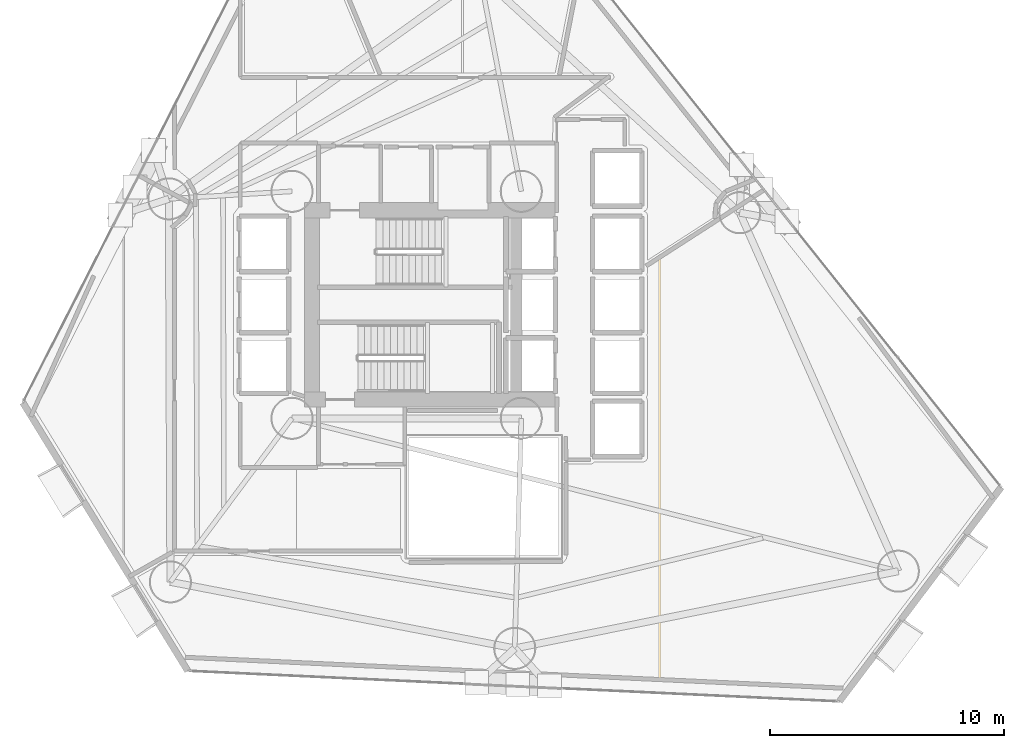
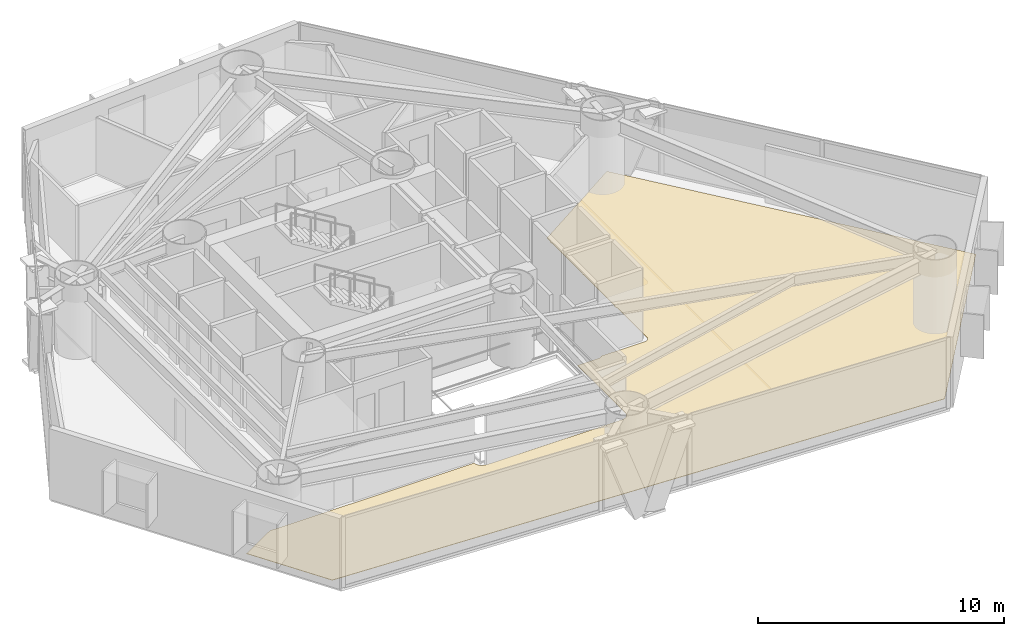
# One storey, part 21 of 23: 1 covering.
"""IFC4 building model written with IfcOpenShell, lengths in metres."""

import ifcopenshell
import ifcopenshell.guid

model = None  # the IFC model being written
_history = None  # IfcOwnerHistory: only IFC2X3 demands one
_inside = {}  # id of a spatial element -> (the spatial element, [elements in it])
_under = {}  # id of a project, library or spatial element -> (it, [spatial elements below it])
_declared = {}  # id of a project -> (the project, [libraries it declares])
_typed = {}  # id of a type object -> (the type object, [elements of that type])
_made_of = {}  # id of a material, layer set ... -> (it, [elements and type objects made of it])


def new_model(schema):
    """Start an empty IFC model of exactly this schema.

    Asked for "IFC4X3", IfcOpenShell would pick the latest addendum, in which some entities
    have other attributes; the version numbers below select the first issue.
    IFC2X3 requires an IfcOwnerHistory on every rooted entity: one is made here for all.
    """
    global model, _history
    if schema == "IFC4X3":
        model = ifcopenshell.file(schema_version=(4, 3, 0, 0))
    else:
        model = ifcopenshell.file(schema=schema)
    _inside.clear()
    _under.clear()
    _declared.clear()
    _typed.clear()
    _made_of.clear()
    _history = None
    if model.schema == "IFC2X3":
        org = make("IfcOrganization", Name="unknown")
        user = make(
            "IfcPersonAndOrganization",
            ThePerson=make("IfcPerson", FamilyName="unknown"),
            TheOrganization=org,
        )
        app = make(
            "IfcApplication",
            ApplicationDeveloper=org,
            Version="unknown",
            ApplicationFullName="unknown",
            ApplicationIdentifier="unknown",
        )
        _history = make(
            "IfcOwnerHistory",
            OwningUser=user,
            OwningApplication=app,
            ChangeAction="ADDED",
            CreationDate=0,
        )
    return model


def make(cls, **values):
    """One entity of the class cls with the attributes given. An attribute that is None is left unset."""
    return model.create_entity(
        cls, **{name: value for name, value in values.items() if value is not None}
    )


def rooted(cls, **values):
    """An entity with a GlobalId (a new one), such as an element, a storey or a relation."""
    return make(cls, GlobalId=ifcopenshell.guid.new(), OwnerHistory=_history, **values)


def si_unit(unit_type, name, prefix=None):
    """IfcSIUnit, for example si_unit("LENGTHUNIT", "METRE", prefix="MILLI")."""
    return make("IfcSIUnit", UnitType=unit_type, Prefix=prefix, Name=name)


def assignment(units):
    """IfcUnitAssignment: the units of a project."""
    return None if units is None else make("IfcUnitAssignment", Units=units)


def point(xyz):
    """IfcCartesianPoint."""
    return None if xyz is None else make("IfcCartesianPoint", Coordinates=xyz)


def direction(xyz):
    """IfcDirection."""
    return None if xyz is None else make("IfcDirection", DirectionRatios=xyz)


def frame(location, z_axis=None, x_axis=None):
    """IfcAxis2Placement3D, a coordinate frame: its origin and axes. An axis left out is left unset."""
    return make(
        "IfcAxis2Placement3D",
        Location=point(location),
        Axis=direction(z_axis),
        RefDirection=direction(x_axis),
    )


def origin():
    """The frame at (0, 0, 0) with its axes left unset."""
    return frame((0.0, 0.0, 0.0))


def place(relative_to, where):
    """IfcLocalPlacement: puts the frame where relative to a parent placement (None: the world)."""
    return make(
        "IfcLocalPlacement", PlacementRelTo=relative_to, RelativePlacement=where
    )


def context(
    kind, dimensions, precision=None, world=None, true_north=None, identifier=None
):
    """IfcGeometricRepresentationContext, for example the 3D "Model" context."""
    return make(
        "IfcGeometricRepresentationContext",
        ContextIdentifier=identifier,
        ContextType=kind,
        CoordinateSpaceDimension=dimensions,
        Precision=precision,
        WorldCoordinateSystem=world,
        TrueNorth=true_north,
    )


def subcontext(parent, identifier, kind, view, scale=None):
    """IfcGeometricRepresentationSubContext, for example "Body" below "Model"."""
    return make(
        "IfcGeometricRepresentationSubContext",
        ContextIdentifier=identifier,
        ContextType=kind,
        ParentContext=parent,
        TargetScale=scale,
        TargetView=view,
    )


def project(units=None, contexts=None):
    """IfcProject with its units and contexts."""
    return rooted(
        "IfcProject",
        Name="project",
        RepresentationContexts=contexts,
        UnitsInContext=assignment(units),
    )


def spatial(cls, under=None, at=None, **own):
    """A site, building, storey or space (cls), placed at a placement, below another one or the project."""
    s = rooted(cls, ObjectPlacement=at, **own)
    if under is not None:
        _under.setdefault(under.id(), (under, []))[1].append(s)
    return s


def polyline(points):
    """IfcPolyline through the points."""
    return make("IfcPolyline", Points=[point(p) for p in points])


def outline(outer, holes=None, kind="AREA"):
    """IfcArbitraryClosedProfileDef: a profile drawn as a closed curve; with holes, ...WithVoids."""
    if holes is None:
        return make("IfcArbitraryClosedProfileDef", ProfileType=kind, OuterCurve=outer)
    return make(
        "IfcArbitraryProfileDefWithVoids",
        ProfileType=kind,
        OuterCurve=outer,
        InnerCurves=holes,
    )


def extrude(swept, where, along, depth):
    """IfcExtrudedAreaSolid: the profile swept, set in the frame where, extruded along a direction by depth."""
    return make(
        "IfcExtrudedAreaSolid",
        SweptArea=swept,
        Position=where,
        ExtrudedDirection=direction(along),
        Depth=depth,
    )


def shape(context_of_items, identifier, shape_type, items):
    """IfcShapeRepresentation: the items that make up one representation, for example the "Body"."""
    return make(
        "IfcShapeRepresentation",
        ContextOfItems=context_of_items,
        RepresentationIdentifier=identifier,
        RepresentationType=shape_type,
        Items=items,
    )


def material(Name=None, Category=None):
    """IfcMaterial."""
    return make("IfcMaterial", Name=Name, Category=Category)


def layer(
    of_material, thickness, ventilated=None, Name=None, Category=None, Priority=None
):
    """IfcMaterialLayer: one layer of a wall or slab, of a material (None: an air gap)."""
    return make(
        "IfcMaterialLayer",
        Material=of_material,
        LayerThickness=thickness,
        IsVentilated=ventilated,
        Name=Name,
        Category=Category,
        Priority=Priority,
    )


def layer_set(layers, Name=None):
    """IfcMaterialLayerSet."""
    return make("IfcMaterialLayerSet", MaterialLayers=layers, LayerSetName=Name)


def made_of(thing, what):
    """Note that an element or type object is made of a material, layer set ...; save() writes the relation."""
    if what is not None:
        _made_of.setdefault(what.id(), (what, []))[1].append(thing)
    return thing


def type_object(cls, material=None, **own):
    """A type object (cls), such as IfcWallType, which elements share."""
    return made_of(rooted(cls, **own), material)


def element(
    cls,
    number,
    at=None,
    inside=None,
    cuts=None,
    type_object=None,
    material=None,
    context=None,
    identifier="Body",
    shape_type=None,
    held_by="IfcProductDefinitionShape",
    body=None,
    shapes=None,
    **own,
):
    """One element of the class cls, such as IfcWall. Its Tag is "e" and its number.

    at: its placement. inside: the storey or other place that contains it. cuts: it is an
    opening in that element (IfcRelVoidsElement). A single representation is given by context,
    identifier, shape_type and body (its items); several are given by shapes. held_by: the class
    of the entity that holds the representations. save() writes the other relations.
    """
    e = rooted(cls, Tag="e%d" % number, ObjectPlacement=at, **own)
    if body is not None:
        shapes = [shape(context, identifier, shape_type, body)]
    if shapes is not None:
        e.Representation = make(held_by, Representations=shapes)
    if inside is not None:
        _inside.setdefault(inside.id(), (inside, []))[1].append(e)
    if cuts is not None:
        rooted(
            "IfcRelVoidsElement", RelatingBuildingElement=cuts, RelatedOpeningElement=e
        )
    if type_object is not None:
        _typed.setdefault(type_object.id(), (type_object, []))[1].append(e)
    return made_of(e, material)


def aggregate(whole, parts):
    """IfcRelAggregates: a whole, such as a stair, and the parts it consists of."""
    return rooted("IfcRelAggregates", RelatingObject=whole, RelatedObjects=parts)


def save(model, path):
    """Write the relations noted so far, then the file.

    IfcRelAggregates (storeys below a building ...), IfcRelContainedInSpatialStructure (elements
    in a storey), IfcRelDefinesByType, IfcRelAssociatesMaterial and IfcRelDeclares: one each for
    every whole, place, type object, material and project.
    """
    for whole, parts in _under.values():
        aggregate(whole, parts)
    for where, things in _inside.values():
        rooted(
            "IfcRelContainedInSpatialStructure",
            RelatedElements=things,
            RelatingStructure=where,
        )
    for kind, things in _typed.values():
        rooted("IfcRelDefinesByType", RelatedObjects=things, RelatingType=kind)
    for what, things in _made_of.values():
        rooted("IfcRelAssociatesMaterial", RelatedObjects=things, RelatingMaterial=what)
    for by, libraries in _declared.values():
        rooted("IfcRelDeclares", RelatingContext=by, RelatedDefinitions=libraries)
    model.write(path)


model = new_model("IFC4")

# Units and contexts
model_context = context("Model", 3, precision=1e-05, world=origin(), true_north=direction((0.0, 1.0)))
body_context = subcontext(model_context, "Body", "Model", "MODEL_VIEW")
ifc_project = project(units=[si_unit("LENGTHUNIT", "METRE"), si_unit("AREAUNIT", "SQUARE_METRE"), si_unit("VOLUMEUNIT", "CUBIC_METRE"), si_unit("PLANEANGLEUNIT", "RADIAN"), si_unit("MASSUNIT", "GRAM", prefix="KILO")], contexts=[model_context])

# Site, building, storey
site_placement = place(None, origin())
site = spatial("IfcSite", under=ifc_project, at=site_placement, CompositionType="ELEMENT")
building_placement = place(site_placement, origin())
building = spatial("IfcBuilding", under=site, at=building_placement, Name="Qianvela Tower", CompositionType="ELEMENT")
storey_placement = place(building_placement, frame((0.0, 0.0, 33.10009765625)))
storey = spatial("IfcBuildingStorey", under=building, at=storey_placement, Name="L07", CompositionType="ELEMENT", Elevation=33.10009765625)

# Covering
ifc_material = material(Name="Engineered Acoustic Oak Timber Flooring", Category="wood")
ifc_layer = layer(ifc_material, 0.02001953125)
ifc_layer_set = layer_set([ifc_layer], Name="Engineered Acoustic Oak Timber Flooring")
covering_type = type_object("IfcCoveringType", Name="COV-FLOOR-OAK-20", PredefinedType="FLOORING", material=ifc_layer_set)
covering_placement = place(storey_placement, origin())
element("IfcCovering", 1, at=covering_placement, inside=storey, type_object=covering_type, Name="L07 Finish Flooring Student Tea Pantry L07-02", PredefinedType="FLOORING", context=body_context, shape_type="SweptSolid", body=[
    extrude(outline(polyline([(23.634521484375, 17.989990234375), (33.24609375, 17.989990234375), (33.252197265625, 17.912353515625), (33.25341796875, 17.904296875), (33.25537109375, 17.896240234375), (33.258056640625, 17.888427734375), (33.261474609375, 17.881103515625), (33.31298828125, 17.78466796875), (33.31689453125, 17.77783203125), (33.32177734375, 17.771484375), (33.326904296875, 17.765869140625), (33.332763671875, 17.760498046875), (33.417236328125, 17.691162109375), (33.42431640625, 17.68603515625), (33.431884765625, 17.681640625), (33.440185546875, 17.677978515625), (33.448486328125, 17.675537109375), (33.58056640625, 17.642333984375), (33.5869140625, 17.64111328125), (33.593505859375, 17.640380859375), (33.60009765625, 17.639892578125), (40.0, 17.639892578125), (40.0078125, 17.640380859375), (40.015625, 17.6416015625), (40.023193359375, 17.643310546875), (40.1787109375, 17.690673828125), (40.185546875, 17.693115234375), (40.192138671875, 17.696044921875), (40.198486328125, 17.69970703125), (40.204345703125, 17.70361328125), (40.209716796875, 17.70849609375), (40.21484375, 17.71337890625), (40.30615234375, 17.814208984375), (40.311279296875, 17.8203125), (40.315673828125, 17.826904296875), (40.3193359375, 17.833740234375), (40.322265625, 17.841064453125), (40.324462890625, 17.8486328125), (40.357666015625, 17.980712890625), (40.35888671875, 17.987060546875), (40.359619140625, 17.993408203125), (40.360107421875, 18.0), (40.360107421875, 21.889892578125), (41.367919921875, 21.890380859375), (41.375732421875, 21.890869140625), (41.383544921875, 21.891845703125), (41.39111328125, 21.893798828125), (41.3984375, 21.896484375), (41.405517578125, 21.89990234375), (41.45947265625, 21.9287109375), (41.46630859375, 21.932861328125), (41.472900390625, 21.9375), (41.478759765625, 21.943115234375), (41.48388671875, 21.948974609375), (41.48876953125, 21.955322265625), (41.492919921875, 21.96240234375), (41.49609375, 21.969482421875), (41.498779296875, 21.97705078125), (41.49951171875, 21.97998046875), (43.59375, 21.980712890625), (43.6015625, 21.981201171875), (43.609375, 21.982177734375), (43.616943359375, 21.984130859375), (43.624267578125, 21.98681640625), (43.699462890625, 22.017822265625), (43.70654296875, 22.021240234375), (43.71337890625, 22.025390625), (43.719482421875, 22.02978515625), (43.725341796875, 22.03515625), (43.730712890625, 22.041015625), (43.7353515625, 22.04736328125), (43.780517578125, 22.114990234375), (43.784423828125, 22.12158203125), (43.787841796875, 22.128662109375), (43.79052734375, 22.135986328125), (43.79248046875, 22.1435546875), (43.793701171875, 22.1513671875), (43.7939453125, 22.1591796875), (43.800048828125, 24.599853515625), (43.7998046875, 24.606689453125), (43.798828125, 24.613525390625), (43.79736328125, 24.620361328125), (43.79541015625, 24.626953125), (43.763427734375, 24.7158203125), (43.760498046875, 24.722900390625), (43.7568359375, 24.72998046875), (43.75244140625, 24.736572265625), (43.74755859375, 24.742431640625), (43.741943359375, 24.748046875), (43.736083984375, 24.7529296875), (43.771240234375, 24.795654296875), (43.77587890625, 24.802001953125), (43.77978515625, 24.80859375), (43.783203125, 24.815673828125), (43.785888671875, 24.822998046875), (43.787841796875, 24.83056640625), (43.788818359375, 24.83837890625), (43.789306640625, 24.84619140625), (43.800048828125, 27.2998046875), (43.799560546875, 27.3076171875), (43.798583984375, 27.315673828125), (43.79638671875, 27.323486328125), (43.793701171875, 27.3310546875), (43.7646484375, 27.39990234375), (43.793701171875, 27.468994140625), (43.79638671875, 27.476318359375), (43.79833984375, 27.484130859375), (43.799560546875, 27.491943359375), (43.800048828125, 27.5), (43.800048828125, 29.89990234375), (43.799560546875, 29.907958984375), (43.79833984375, 29.915771484375), (43.79638671875, 29.923583984375), (43.793701171875, 29.93115234375), (43.765625, 29.997802734375), (43.79150390625, 30.051513671875), (43.794189453125, 30.05810546875), (43.79638671875, 30.06494140625), (43.798095703125, 30.072021484375), (43.799072265625, 30.0791015625), (43.79931640625, 30.086181640625), (43.7998046875, 30.344482421875), (48.276611328125, 33.230712890625), (58.348388671875, 20.617431640625), (52.11669921875, 12.36669921875), (24.083984375, 13.682373046875), (22.0048828125, 17.065185546875), (23.634521484375, 17.989990234375)])), origin(), (0.0, 0.0, 1.0), 0.02001953125),
])

save(model, "model.ifc")
